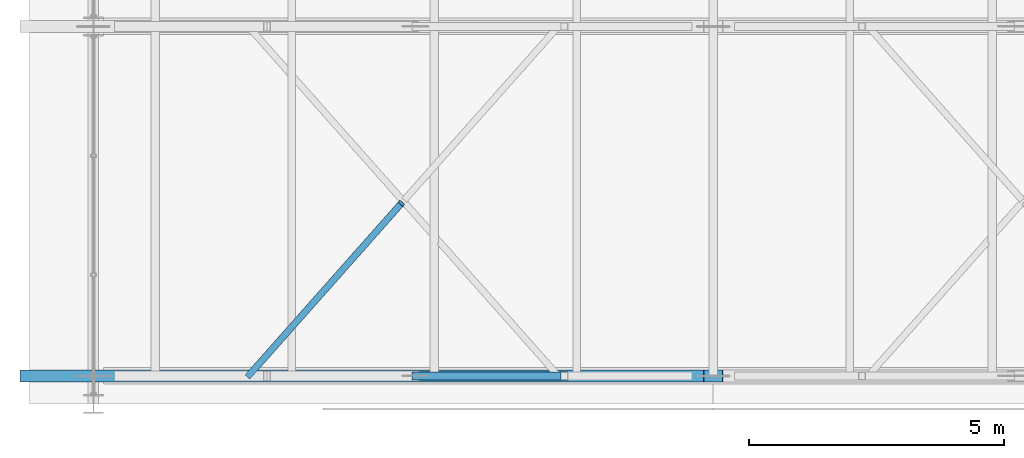
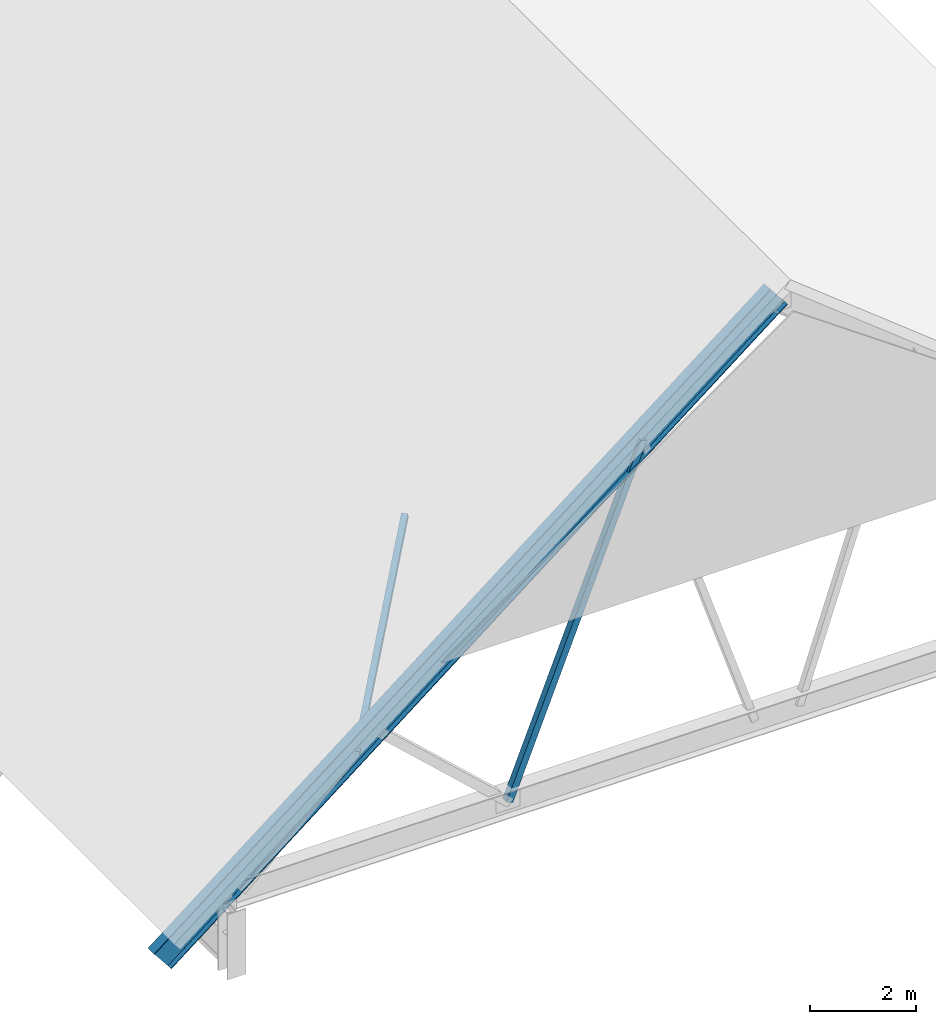
# One storey, part 4 of 44: 2 members, 1 beam.
"""IFC4 building model written with IfcOpenShell, lengths in metres."""

from ifc_helpers import new_model, si_unit, direction, frame, origin, origin_2d, place, context, subcontext, project, spatial, hollow_rectangle, i_section, extrude, material, material_profile, profile_set, type_object, element, save


model = new_model("IFC4")

# Units and contexts
model_context = context("Model", 3, precision=1e-05, world=origin(), true_north=direction((0.0, 1.0)))
body_context = subcontext(model_context, "Body", "Model", "MODEL_VIEW")
ifc_project = project(units=[si_unit("LENGTHUNIT", "METRE"), si_unit("AREAUNIT", "SQUARE_METRE"), si_unit("VOLUMEUNIT", "CUBIC_METRE"), si_unit("PLANEANGLEUNIT", "RADIAN"), si_unit("MASSUNIT", "GRAM", prefix="KILO")], contexts=[model_context])

# Site, building, storey
site_placement = place(None, origin())
site = spatial("IfcSite", under=ifc_project, at=site_placement, CompositionType="ELEMENT")
building_placement = place(site_placement, origin())
building = spatial("IfcBuilding", under=site, at=building_placement, Name="Cimatlan Art Gallery", CompositionType="ELEMENT")
storey_placement = place(building_placement, frame((0.0, 0.0, 26.39990234375)))
storey = spatial("IfcBuildingStorey", under=building, at=storey_placement, Name="Roof", CompositionType="ELEMENT", Elevation=26.39990234375)

# Beam
ifc_material_1 = material(Name="Steel ASTM A992 Grade 50", Category="steel")
ifc_material_profile_1 = material_profile(ifc_material_1, i_section(OverallWidth=0.22802734375, OverallDepth=0.60791015625, WebThickness=0.01123046875, FlangeThickness=0.017333984375, at=origin_2d()), Name="W24X76")
ifc_profile_set_1 = profile_set([ifc_material_profile_1], Name="Steel ASTM A992 Grade 50")
beam_type = type_object("IfcBeamType", Name="BM-TRS-RAF", PredefinedType="BEAM", material=ifc_profile_set_1)
beam_placement = place(storey_placement, frame((73.64990234375, 24.449951171875, 0.412353515625), z_axis=(0.78463826569, 0.0, 0.619953862812), x_axis=(0.0, 1.0, 0.0)))
element("IfcBeam", 1, at=beam_placement, inside=storey, type_object=beam_type, Name="TRS-01-RAF-W", PredefinedType="BEAM", context=body_context, shape_type="SweptSolid", body=[
    extrude(i_section(OverallWidth=0.22802734375, OverallDepth=0.60791015625, WebThickness=0.01123046875, FlangeThickness=0.017333984375, at=origin_2d()), origin(), (0.0, 0.0, 1.0), 17.078125),
])

# Members
ifc_material_2 = material(Name="Steel ASTM A500 Grade C", Category="steel")
ifc_material_profile_2 = material_profile(ifc_material_2, hollow_rectangle(XDim=0.1298828125, YDim=0.1298828125, WallThickness=0.008056640625, at=origin_2d()), Name="HSS130X130X8")
ifc_profile_set_2 = profile_set([ifc_material_profile_2], Name="Steel ASTM A500 Grade C")
member_type_1 = type_object("IfcMemberType", Name="MBR-TRS-BRACE", PredefinedType="BRACE", material=ifc_profile_set_2)
member_1_placement = place(storey_placement, frame((77.9375, 24.449951171875, 3.64013671875), z_axis=(0.587667140887, 0.662620291609, 0.464307743496), x_axis=(-0.748153767817, 0.663525387382, 0.0)))
element("IfcMember", 2, at=member_1_placement, inside=storey, type_object=member_type_1, Name="BRC-V1-B1-W2A", PredefinedType="BRACE", context=body_context, shape_type="SweptSolid", body=[
    extrude(hollow_rectangle(XDim=0.1298828125, YDim=0.1298828125, WallThickness=0.008056640625, at=origin_2d()), origin(), (0.0, 0.0, 1.0), 5.10400390625),
])
ifc_material_profile_3 = material_profile(ifc_material_2, hollow_rectangle(XDim=0.14990234375, YDim=0.14990234375, WallThickness=0.008056640625, at=origin_2d()), Name="HSS150X150X8")
ifc_profile_set_3 = profile_set([ifc_material_profile_3], Name="Steel ASTM A500 Grade C")
member_type_2 = type_object("IfcMemberType", Name="MBR-TRS-DIAG-2", PredefinedType="BRACE", material=ifc_profile_set_3)
member_2_placement = place(storey_placement, frame((81.218017578125, 24.449951171875, 1.400146484375), z_axis=(0.371133507913, 0.0, 0.928579516953), x_axis=(0.0, 1.0, 0.0)))
element("IfcMember", 3, at=member_2_placement, inside=storey, type_object=member_type_2, Name="TRS-01-DW-3", PredefinedType="BRACE", context=body_context, shape_type="SweptSolid", body=[
    extrude(hollow_rectangle(XDim=0.14990234375, YDim=0.14990234375, WallThickness=0.008056640625, at=origin_2d()), origin(), (0.0, 0.0, 1.0), 7.85693359375),
])

save(model, "model.ifc")
